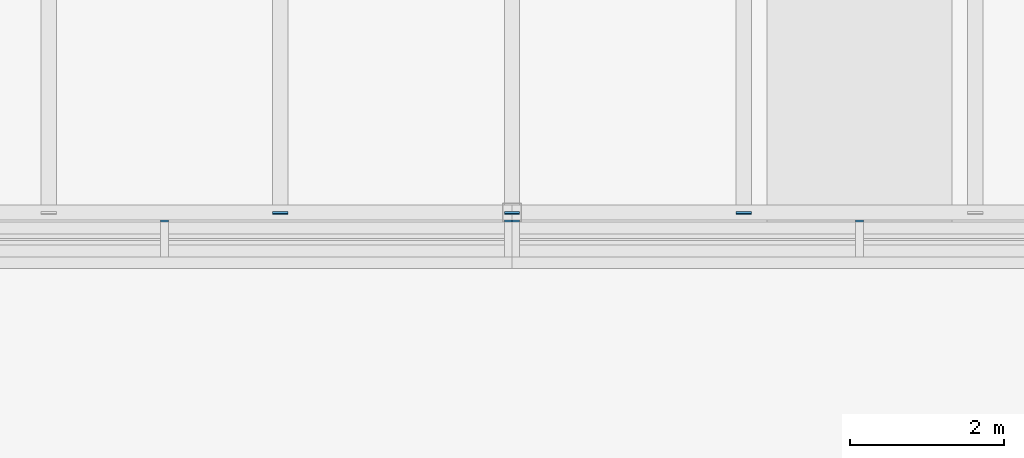
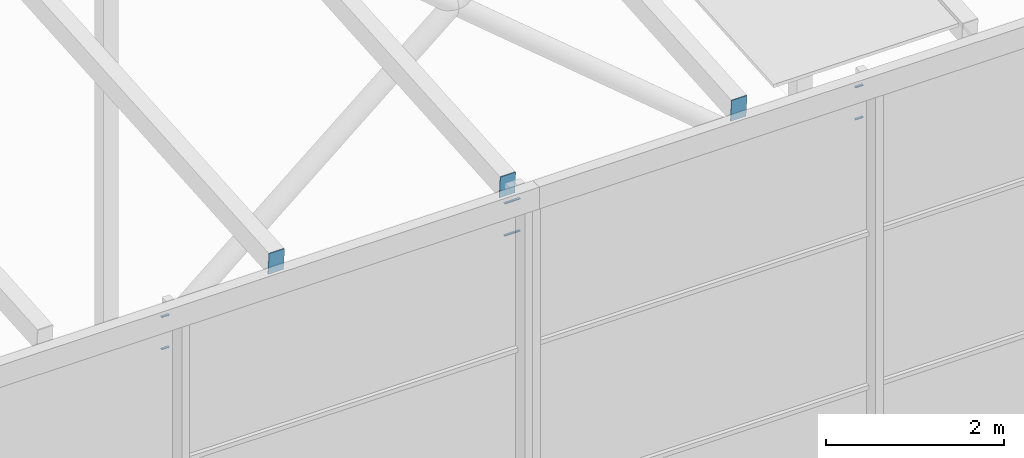
# One storey, part 63 of 84: 11 discrete accessories.
"""IFC4 building model written with IfcOpenShell, lengths in metres."""

from ifc_helpers import new_model, si_unit, direction, frame, origin, origin_2d, place, context, subcontext, project, spatial, rectangle, extrude, material, layer, layer_set, type_object, element, save


model = new_model("IFC4")

# Units and contexts
model_context = context("Model", 3, precision=1e-05, world=origin(), true_north=direction((0.0, 1.0)))
body_context = subcontext(model_context, "Body", "Model", "MODEL_VIEW")
ifc_project = project(units=[si_unit("LENGTHUNIT", "METRE"), si_unit("AREAUNIT", "SQUARE_METRE"), si_unit("VOLUMEUNIT", "CUBIC_METRE"), si_unit("PLANEANGLEUNIT", "RADIAN"), si_unit("MASSUNIT", "GRAM", prefix="KILO")], contexts=[model_context])

# Site, building, storey
site_placement = place(None, origin())
site = spatial("IfcSite", under=ifc_project, at=site_placement, CompositionType="ELEMENT")
building_placement = place(site_placement, origin())
building = spatial("IfcBuilding", under=site, at=building_placement, Name="Silverbay Arena", CompositionType="ELEMENT")
storey_placement = place(building_placement, frame((0.0, 0.0, 47.10009765625)))
storey = spatial("IfcBuildingStorey", under=building, at=storey_placement, Name="ROOF", CompositionType="ELEMENT", Elevation=47.10009765625)

# Discrete accessories
ifc_material_1 = material(Name="Steel S355", Category="steel")
ifc_layer = layer(ifc_material_1, 0.011962890625)
ifc_layer_set = layer_set([ifc_layer], Name="Steel S355")
discrete_accessory_type_1 = type_object("IfcDiscreteAccessoryType", Name="Purlin end plate 12", PredefinedType="USERDEFINED", material=ifc_layer_set)
for number, where, z_axis, x_axis, name in (
    (1, (123.0, 27.0, 8.74951171875), (0.0, -0.996684615823, -0.081362009455), (1.0, 0.0, 0.0), "Purlin end plate"),
    (2, (126.0, 27.0, 8.74951171875), (0.0, -0.996684615823, -0.081362009455), (1.0, 0.0, 0.0), "Purlin end plate"),
    (3, (129.0, 27.0, 8.74951171875), (0.0, -0.996684615823, -0.081362009455), (1.0, 0.0, 0.0), "Purlin end plate"),
):
    element("IfcDiscreteAccessory", number, at=place(storey_placement, frame(where, z_axis=z_axis, x_axis=x_axis)), inside=storey, type_object=discrete_accessory_type_1, Name=name, ObjectType="END PLATE", PredefinedType="USERDEFINED", context=body_context, shape_type="SweptSolid", body=[
        extrude(rectangle(XDim=0.199951171875, YDim=0.300048828125, at=origin_2d()), origin(), (0.0, 0.0, 1.0), 0.011962890625),
    ])
ifc_material_2 = material(Name="Steel S355", Category="steel")
discrete_accessory_type_2 = type_object("IfcDiscreteAccessoryType", Name="Steel bracket plate", PredefinedType="BRACKET", material=ifc_material_2)
for number, where, z_axis, x_axis, name in (
    (4, (121.5, 26.89013671875, 8.58642578125), (0.0, 0.0, 1.0), (1.0, 0.0, 0.0), "Curtain wall packing plate"),
    (5, (121.5, 26.89013671875, 8.145751953125), (0.0, 0.0, 1.0), (1.0, 0.0, 0.0), "Curtain wall packing plate"),
    (6, (125.949951171875, 26.89013671875, 8.58642578125), (0.0, 0.0, 1.0), (1.0, 0.0, 0.0), "Curtain wall packing plate"),
    (7, (125.949951171875, 26.89013671875, 8.145751953125), (0.0, 0.0, 1.0), (1.0, 0.0, 0.0), "Curtain wall packing plate"),
    (8, (126.050048828125, 26.89013671875, 8.58642578125), (0.0, 0.0, 1.0), (1.0, 0.0, 0.0), "Curtain wall packing plate"),
    (9, (126.050048828125, 26.89013671875, 8.145751953125), (0.0, 0.0, 1.0), (1.0, 0.0, 0.0), "Curtain wall packing plate"),
    (10, (130.5, 26.89013671875, 8.58642578125), (0.0, 0.0, 1.0), (1.0, 0.0, 0.0), "Curtain wall packing plate"),
    (11, (130.5, 26.89013671875, 8.145751953125), (0.0, 0.0, 1.0), (1.0, 0.0, 0.0), "Curtain wall packing plate"),
):
    element("IfcDiscreteAccessory", number, at=place(storey_placement, frame(where, z_axis=z_axis, x_axis=x_axis)), inside=storey, type_object=discrete_accessory_type_2, Name=name, PredefinedType="BRACKET", context=body_context, shape_type="SweptSolid", body=[
        extrude(rectangle(XDim=0.10009765625, YDim=0.030029296875, at=origin_2d()), origin(), (0.0, 0.0, 1.0), 0.0126953125),
    ])

save(model, "model.ifc")
